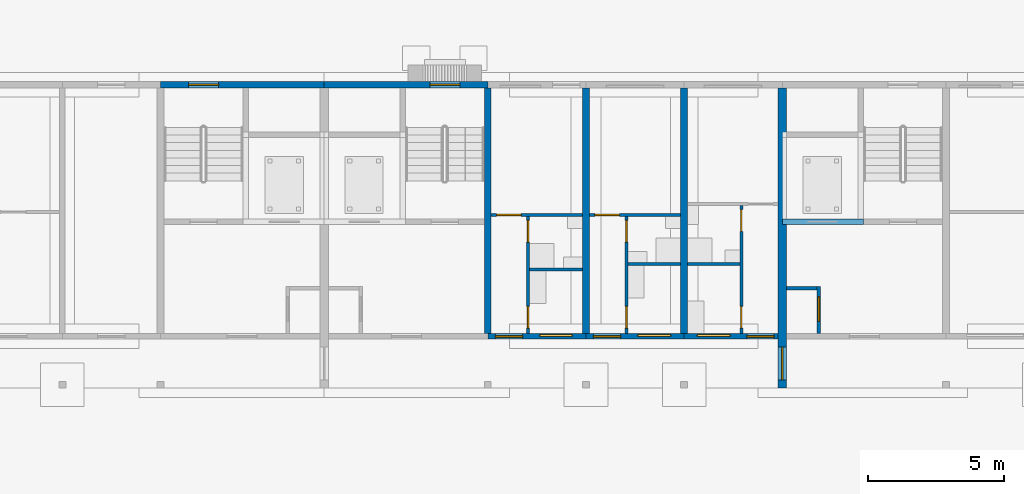
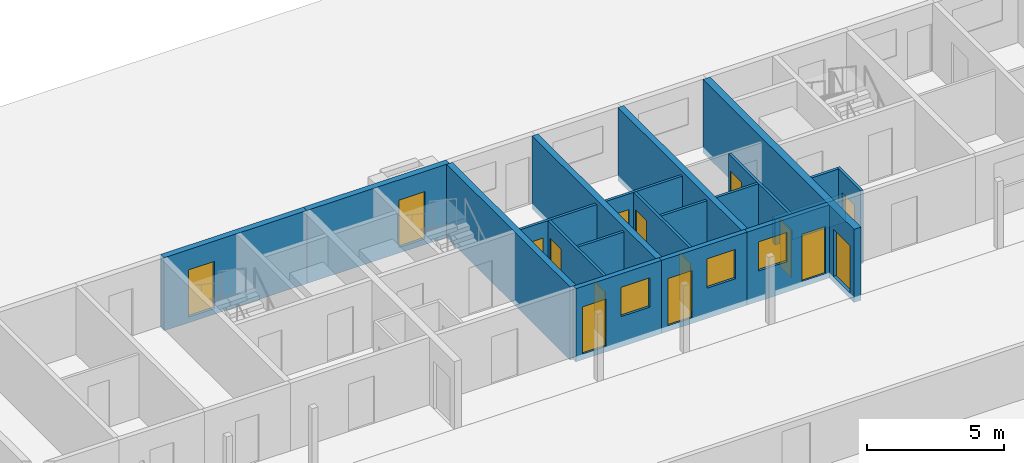
# One storey, part 48 of 112: 20 walls, 15 doors, 3 windows, 18 openings.
"""IFC4 building model written with IfcOpenShell, lengths in metres."""

from ifc_helpers import new_model, si_unit, direction, frame, frame_2d, origin, place, context, subcontext, project, spatial, rectangle, extrude, material, layer, layer_set, type_object, element, fill, save


model = new_model("IFC4")

# Units and contexts
model_context = context("Model", 3, precision=1e-05, world=origin(), true_north=direction((0.0, 1.0)))
body_context = subcontext(model_context, "Body", "Model", "MODEL_VIEW")
ifc_project = project(units=[si_unit("LENGTHUNIT", "METRE"), si_unit("AREAUNIT", "SQUARE_METRE"), si_unit("VOLUMEUNIT", "CUBIC_METRE"), si_unit("PLANEANGLEUNIT", "RADIAN"), si_unit("MASSUNIT", "GRAM", prefix="KILO")], contexts=[model_context])

# Site, building, storey
site_placement = place(None, origin())
site = spatial("IfcSite", under=ifc_project, at=site_placement, CompositionType="ELEMENT")
building_placement = place(site_placement, origin())
building = spatial("IfcBuilding", under=site, at=building_placement, Name="Ridgestep Commons", CompositionType="ELEMENT")
storey_placement = place(building_placement, origin())
storey = spatial("IfcBuildingStorey", under=building, at=storey_placement, Name="L00", CompositionType="ELEMENT", Elevation=0.0)

# Wall
ifc_material_1 = material(Name="Concrete C30/37", Category="concrete")
ifc_layer_1 = layer(ifc_material_1, 0.25)
ifc_layer_set_1 = layer_set([ifc_layer_1], Name="Core cross wall 250")
wall_type_1 = type_object("IfcWallType", Name="Core cross wall 250", PredefinedType="SHEAR", material=ifc_layer_set_1)
wall_1_placement = place(storey_placement, frame((34.800048828125, 68.0, -0.25), z_axis=(0.0, 0.0, 1.0), x_axis=(0.0, 1.0, 0.0)))
element("IfcWall", 1, at=wall_1_placement, inside=storey, type_object=wall_type_1, Name="Cross wall B-00-0348", PredefinedType="SHEAR", context=body_context, shape_type="SweptSolid", body=[
    extrude(rectangle(XDim=9.0, YDim=0.25, at=frame_2d((4.5, 0.0))), origin(), (0.0, 0.0, 1.0), 3.25),
])

# Wall, opening, door
ifc_material_2 = material(Name="Concrete C30/37", Category="concrete")
ifc_layer_2 = layer(ifc_material_2, 0.1201171875)
ifc_layer_set_2 = layer_set([ifc_layer_2], Name="Core wall 120")
wall_type_2 = type_object("IfcWallType", Name="Core wall 120", PredefinedType="SHEAR", material=ifc_layer_set_2)
wall_2_placement = place(storey_placement, frame((46.93994140625, 68.0, -0.25), z_axis=(0.0, 0.0, 1.0), x_axis=(0.0, 1.0, 0.0)))
wall_2 = element("IfcWall", 2, at=wall_2_placement, inside=storey, type_object=wall_type_2, Name="Core riser w wall B3C L00", PredefinedType="SHEAR", context=body_context, shape_type="SweptSolid", body=[
    extrude(rectangle(XDim=1.719970703125, YDim=0.1201171875, at=frame_2d((0.85986328125, 0.0))), origin(), (0.0, 0.0, 1.0), 3.25),
])
opening_1_placement = place(wall_2_placement, frame((0.449951171875, 0.0, 0.25)))
opening_1 = element("IfcOpeningElement", 3, at=opening_1_placement, cuts=wall_2, Name="Opening B3C/00/4", PredefinedType="OPENING", context=body_context, shape_type="SweptSolid", body=[
    extrude(rectangle(XDim=0.89990234375, YDim=2.10009765625, at=frame_2d((0.449951171875, 1.050048828125))), frame((0.0, 0.070068359375, 0.0), z_axis=(0.0, -1.0, 0.0), x_axis=(1.0, 0.0, 0.0)), (0.0, 0.0, 1.0), 0.14013671875),
])
ifc_material_3 = material(Name="Steel fire door", Category="steel")
door_type_1 = type_object("IfcDoorType", Name="Riser door 900 x 2100 FD60", OperationType="NOTDEFINED", PredefinedType="DOOR", material=ifc_material_3)
door_1_placement = place(opening_1_placement, origin())
door_1 = element("IfcDoor", 4, at=door_1_placement, inside=storey, type_object=door_type_1, Name="Riser door B3C/00/4", OperationType="SINGLE_SWING_RIGHT", OverallHeight=2.10009765625, OverallWidth=0.89990234375, PredefinedType="DOOR", context=body_context, shape_type="SweptSolid", body=[
    extrude(rectangle(XDim=0.89990234375, YDim=2.10009765625, at=frame_2d((0.449951171875, 1.050048828125))), frame((0.0, 0.02490234375, 0.0), z_axis=(0.0, -1.0, 0.0), x_axis=(1.0, 0.0, 0.0)), (0.0, 0.0, 1.0), 0.050048828125),
])
fill(opening_1, door_1)

# Walls
wall_3_placement = place(storey_placement, frame((45.75, 69.659912109375, -0.25), z_axis=(0.0, 0.0, 1.0), x_axis=(1.0, 0.0, 0.0)))
element("IfcWall", 5, at=wall_3_placement, inside=storey, type_object=wall_type_2, Name="Core riser n wall B3C L00", PredefinedType="SHEAR", context=body_context, shape_type="SweptSolid", body=[
    extrude(rectangle(XDim=1.1298828125, YDim=0.1201171875, at=frame_2d((0.56494140625, 0.0))), origin(), (0.0, 0.0, 1.0), 3.25),
])
ifc_material_4 = material(Name="Concrete C30/37", Category="concrete")
ifc_layer_3 = layer(ifc_material_4, 0.199951171875)
ifc_layer_set_3 = layer_set([ifc_layer_3], Name="Core wall 200")
wall_type_3 = type_object("IfcWallType", Name="Core wall 200", PredefinedType="SHEAR", material=ifc_layer_set_3)
wall_4_placement = place(storey_placement, frame((45.60009765625, 72.10009765625, -1.39990234375), z_axis=(0.0, 0.0, 1.0), x_axis=(1.0, 0.0, 0.0)))
element("IfcWall", 6, at=wall_4_placement, inside=storey, type_object=wall_type_3, Name="Lift pit wall B3C", PredefinedType="SHEAR", context=body_context, shape_type="SweptSolid", body=[
    extrude(rectangle(XDim=2.974853515625, YDim=0.199951171875, at=frame_2d((1.4873046875, 0.0))), origin(), (0.0, 0.0, 1.0), 1.14990234375),
])
ifc_material_5 = material(Name="Precast concrete C40/50", Category="concrete")
ifc_layer_4 = layer(ifc_material_5, 0.25)
ifc_layer_set_4 = layer_set([ifc_layer_4], Name="Cross wall 250")
wall_type_4 = type_object("IfcWallType", Name="Cross wall 250", PredefinedType="SHEAR", material=ifc_layer_set_4)
for number, where, z_axis, x_axis, name in (
    (7, (38.39990234375, 68.0, -0.25), (0.0, 0.0, 1.0), (0.0, 1.0, 0.0), "Cross wall B-00-0384"),
    (8, (42.0, 68.0, -0.25), (0.0, 0.0, 1.0), (0.0, 1.0, 0.0), "Cross wall B-00-0420"),
):
    element("IfcWall", number, at=place(storey_placement, frame(where, z_axis=z_axis, x_axis=x_axis)), inside=storey, type_object=wall_type_4, Name=name, PredefinedType="SHEAR", context=body_context, shape_type="SweptSolid", body=[
        extrude(rectangle(XDim=9.0, YDim=0.25, at=frame_2d((4.5, 0.0))), origin(), (0.0, 0.0, 1.0), 3.25),
    ])

# Wall, opening, door
ifc_material_6 = material(Name="Precast concrete C40/50", Category="concrete")
ifc_layer_5 = layer(ifc_material_6, 0.300048828125)
ifc_layer_set_5 = layer_set([ifc_layer_5], Name="Division wall 300")
wall_type_5 = type_object("IfcWallType", Name="Division wall 300", PredefinedType="SHEAR", material=ifc_layer_set_5)
wall_5_placement = place(storey_placement, frame((45.60009765625, 66.0, -0.25), z_axis=(0.0, 0.0, 1.0), x_axis=(0.0, 1.0, 0.0)))
wall_5 = element("IfcWall", 9, at=wall_5_placement, inside=storey, type_object=wall_type_5, Name="Cross wall B-00-0456", PredefinedType="SHEAR", context=body_context, shape_type="SweptSolid", body=[
    extrude(rectangle(XDim=11.0, YDim=0.300048828125, at=frame_2d((5.5, 0.0))), origin(), (0.0, 0.0, 1.0), 3.25),
])
opening_2_placement = place(wall_5_placement, frame((0.300048828125, 0.0, 0.25)))
opening_2 = element("IfcOpeningElement", 10, at=opening_2_placement, cuts=wall_5, Name="Opening B/00/G0456", PredefinedType="OPENING", context=body_context, shape_type="SweptSolid", body=[
    extrude(rectangle(XDim=1.199951171875, YDim=2.10009765625, at=frame_2d((0.60009765625, 1.050048828125))), frame((0.0, 0.159912109375, 0.0), z_axis=(0.0, -1.0, 0.0), x_axis=(1.0, 0.0, 0.0)), (0.0, 0.0, 1.0), 0.320068359375),
])
ifc_material_7 = material(Name="Steel fire door", Category="steel")
door_type_2 = type_object("IfcDoorType", Name="Division fire door 1200 x 2100 EI 240", OperationType="DOUBLE_DOOR_SINGLE_SWING", PredefinedType="DOOR", material=ifc_material_7)
door_2_placement = place(opening_2_placement, origin())
door_2 = element("IfcDoor", 11, at=door_2_placement, inside=storey, type_object=door_type_2, Name="Division fire door B/00/G0456", OperationType="DOUBLE_DOOR_SINGLE_SWING", OverallHeight=2.10009765625, OverallWidth=1.199951171875, PredefinedType="DOOR", context=body_context, shape_type="SweptSolid", body=[
    extrude(rectangle(XDim=1.199951171875, YDim=2.10009765625, at=frame_2d((0.60009765625, 1.050048828125))), frame((0.0, 0.02490234375, 0.0), z_axis=(0.0, -1.0, 0.0), x_axis=(1.0, 0.0, 0.0)), (0.0, 0.0, 1.0), 0.050048828125),
])
fill(opening_2, door_2)

ifc_material_8 = material(Name="Precast concrete C40/50", Category="concrete")
ifc_layer_6 = layer(ifc_material_8, 0.25)
ifc_layer_set_6 = layer_set([ifc_layer_6], Name="North facade panel 250")
wall_type_6 = type_object("IfcWallType", Name="North facade panel 250", PredefinedType="SOLIDWALL", material=ifc_layer_set_6)
wall_6_placement = place(storey_placement, frame((22.800048828125, 77.125, -0.25), z_axis=(0.0, 0.0, 1.0), x_axis=(1.0, 0.0, 0.0)))
wall_6 = element("IfcWall", 12, at=wall_6_placement, inside=storey, type_object=wall_type_6, Name="North panel B1C L00", PredefinedType="SOLIDWALL", context=body_context, shape_type="SweptSolid", body=[
    extrude(rectangle(XDim=6.0, YDim=0.25, at=frame_2d((3.0, 0.0))), origin(), (0.0, 0.0, 1.0), 3.25),
])
opening_3_placement = place(wall_6_placement, frame((1.02490234375, 0.0, 0.25)))
opening_3 = element("IfcOpeningElement", 13, at=opening_3_placement, cuts=wall_6, Name="Opening B1C/00/5", PredefinedType="OPENING", context=body_context, shape_type="SweptSolid", body=[
    extrude(rectangle(XDim=1.10009765625, YDim=2.10009765625, at=frame_2d((0.550048828125, 1.050048828125))), frame((0.0, 0.135009765625, 0.0), z_axis=(0.0, -1.0, 0.0), x_axis=(1.0, 0.0, 0.0)), (0.0, 0.0, 1.0), 0.27001953125),
])
ifc_material_9 = material(Name="Steel fire door", Category="steel")
door_type_3 = type_object("IfcDoorType", Name="Stair exit door 1100 x 2100 FD60", OperationType="NOTDEFINED", PredefinedType="DOOR", material=ifc_material_9)
door_3_placement = place(opening_3_placement, origin())
door_3 = element("IfcDoor", 14, at=door_3_placement, inside=storey, type_object=door_type_3, Name="Stair exit door B1C/00/5", OperationType="SINGLE_SWING_LEFT", OverallHeight=2.10009765625, OverallWidth=1.10009765625, PredefinedType="DOOR", context=body_context, shape_type="SweptSolid", body=[
    extrude(rectangle(XDim=1.10009765625, YDim=2.10009765625, at=frame_2d((0.550048828125, 1.050048828125))), frame((0.0, 0.02490234375, 0.0), z_axis=(0.0, -1.0, 0.0), x_axis=(1.0, 0.0, 0.0)), (0.0, 0.0, 1.0), 0.050048828125),
])
fill(opening_3, door_3)

wall_7_placement = place(storey_placement, frame((28.800048828125, 77.125, -0.25), z_axis=(0.0, 0.0, 1.0), x_axis=(1.0, 0.0, 0.0)))
wall_7 = element("IfcWall", 15, at=wall_7_placement, inside=storey, type_object=wall_type_6, Name="North panel B2C L00", PredefinedType="SOLIDWALL", context=body_context, shape_type="SweptSolid", body=[
    extrude(rectangle(XDim=6.0, YDim=0.25, at=frame_2d((3.0, 0.0))), origin(), (0.0, 0.0, 1.0), 3.25),
])
opening_4_placement = place(wall_7_placement, frame((3.875, 0.0, 0.25)))
opening_4 = element("IfcOpeningElement", 16, at=opening_4_placement, cuts=wall_7, Name="Opening B2C/00/5", PredefinedType="OPENING", context=body_context, shape_type="SweptSolid", body=[
    extrude(rectangle(XDim=1.10009765625, YDim=2.10009765625, at=frame_2d((0.550048828125, 1.050048828125))), frame((0.0, 0.135009765625, 0.0), z_axis=(0.0, -1.0, 0.0), x_axis=(1.0, 0.0, 0.0)), (0.0, 0.0, 1.0), 0.27001953125),
])
door_4_placement = place(opening_4_placement, origin())
door_4 = element("IfcDoor", 17, at=door_4_placement, inside=storey, type_object=door_type_3, Name="Stair exit door B2C/00/5", OperationType="SINGLE_SWING_LEFT", OverallHeight=2.10009765625, OverallWidth=1.10009765625, PredefinedType="DOOR", context=body_context, shape_type="SweptSolid", body=[
    extrude(rectangle(XDim=1.10009765625, YDim=2.10009765625, at=frame_2d((0.550048828125, 1.050048828125))), frame((0.0, 0.02490234375, 0.0), z_axis=(0.0, -1.0, 0.0), x_axis=(1.0, 0.0, 0.0)), (0.0, 0.0, 1.0), 0.050048828125),
])
fill(opening_4, door_4)

# Wall
ifc_material_10 = material(Name="Common brick 110 mm", Category="masonry")
ifc_layer_7 = layer(ifc_material_10, 0.110107421875)
ifc_layer_set_7 = layer_set([ifc_layer_7], Name="Partition 110")
wall_type_7 = type_object("IfcWallType", Name="Partition 110", PredefinedType="PARTITIONING", material=ifc_layer_set_7)
wall_8_placement = place(storey_placement, frame((42.125, 70.554931640625, 0.0), z_axis=(0.0, 0.0, 1.0), x_axis=(1.0, 0.0, 0.0)))
element("IfcWall", 18, at=wall_8_placement, inside=storey, type_object=wall_type_7, Name="Partition B2-00a", PredefinedType="PARTITIONING", context=body_context, shape_type="SweptSolid", body=[
    extrude(rectangle(XDim=1.9150390625, YDim=0.110107421875, at=frame_2d((0.95751953125, 0.0))), origin(), (0.0, 0.0, 1.0), 2.800048828125),
])

# Wall, openings, doors
wall_9_placement = place(storey_placement, frame((44.094970703125, 68.0, 0.0), z_axis=(0.0, 0.0, 1.0), x_axis=(0.0, 1.0, 0.0)))
wall_9 = element("IfcWall", 19, at=wall_9_placement, inside=storey, type_object=wall_type_7, Name="Partition B2-00a", PredefinedType="PARTITIONING", context=body_context, shape_type="SweptSolid", body=[
    extrude(rectangle(XDim=4.699951171875, YDim=0.110107421875, at=frame_2d((2.35009765625, 0.0))), origin(), (0.0, 0.0, 1.0), 2.800048828125),
])
opening_5_placement = place(wall_9_placement, frame((0.199951171875, 0.0, 0.0)))
opening_5 = element("IfcOpeningElement", 20, at=opening_5_placement, cuts=wall_9, Name="Opening B2-00a/2", PredefinedType="OPENING", context=body_context, shape_type="SweptSolid", body=[
    extrude(rectangle(XDim=0.800048828125, YDim=2.10009765625, at=frame_2d((0.39990234375, 1.050048828125))), frame((0.0, 0.06494140625, 0.0), z_axis=(0.0, -1.0, 0.0), x_axis=(1.0, 0.0, 0.0)), (0.0, 0.0, 1.0), 0.130126953125),
])
opening_6_placement = place(wall_9_placement, frame((3.75, 0.0, 0.0)))
opening_6 = element("IfcOpeningElement", 21, at=opening_6_placement, cuts=wall_9, Name="Opening B2-00a/3", PredefinedType="OPENING", context=body_context, shape_type="SweptSolid", body=[
    extrude(rectangle(XDim=0.800048828125, YDim=2.10009765625, at=frame_2d((0.39990234375, 1.050048828125))), frame((0.0, 0.06494140625, 0.0), z_axis=(0.0, -1.0, 0.0), x_axis=(1.0, 0.0, 0.0)), (0.0, 0.0, 1.0), 0.130126953125),
])
ifc_material_11 = material(Name="Timber door leaf", Category="wood")
door_type_4 = type_object("IfcDoorType", Name="Internal door 800 x 2100", OperationType="NOTDEFINED", PredefinedType="DOOR", material=ifc_material_11)
door_5_placement = place(opening_5_placement, origin())
door_5 = element("IfcDoor", 22, at=door_5_placement, inside=storey, type_object=door_type_4, Name="Internal door B2-00a/2", OperationType="SINGLE_SWING_LEFT", OverallHeight=2.10009765625, OverallWidth=0.800048828125, PredefinedType="DOOR", context=body_context, shape_type="SweptSolid", body=[
    extrude(rectangle(XDim=0.800048828125, YDim=2.10009765625, at=frame_2d((0.39990234375, 1.050048828125))), frame((0.0, 0.02490234375, 0.0), z_axis=(0.0, -1.0, 0.0), x_axis=(1.0, 0.0, 0.0)), (0.0, 0.0, 1.0), 0.050048828125),
])
fill(opening_5, door_5)
door_6_placement = place(opening_6_placement, origin())
door_6 = element("IfcDoor", 23, at=door_6_placement, inside=storey, type_object=door_type_4, Name="Internal door B2-00a/3", OperationType="SINGLE_SWING_RIGHT", OverallHeight=2.10009765625, OverallWidth=0.800048828125, PredefinedType="DOOR", context=body_context, shape_type="SweptSolid", body=[
    extrude(rectangle(XDim=0.800048828125, YDim=2.10009765625, at=frame_2d((0.39990234375, 1.050048828125))), frame((0.0, 0.02490234375, 0.0), z_axis=(0.0, -1.0, 0.0), x_axis=(1.0, 0.0, 0.0)), (0.0, 0.0, 1.0), 0.050048828125),
])
fill(opening_6, door_6)

wall_10_placement = place(storey_placement, frame((39.8798828125, 68.0, 0.0), z_axis=(0.0, 0.0, 1.0), x_axis=(0.0, 1.0, 0.0)))
wall_10 = element("IfcWall", 24, at=wall_10_placement, inside=storey, type_object=wall_type_7, Name="Partition B2-00b", PredefinedType="PARTITIONING", context=body_context, shape_type="SweptSolid", body=[
    extrude(rectangle(XDim=4.300048828125, YDim=0.110107421875, at=frame_2d((2.14990234375, 0.0))), origin(), (0.0, 0.0, 1.0), 2.800048828125),
])
opening_7_placement = place(wall_10_placement, frame((0.199951171875, 0.0, 0.0)))
opening_7 = element("IfcOpeningElement", 25, at=opening_7_placement, cuts=wall_10, Name="Opening B2-00b/2", PredefinedType="OPENING", context=body_context, shape_type="SweptSolid", body=[
    extrude(rectangle(XDim=0.800048828125, YDim=2.10009765625, at=frame_2d((0.39990234375, 1.050048828125))), frame((0.0, 0.06494140625, 0.0), z_axis=(0.0, -1.0, 0.0), x_axis=(1.0, 0.0, 0.0)), (0.0, 0.0, 1.0), 0.130126953125),
])
opening_8_placement = place(wall_10_placement, frame((3.35009765625, 0.0, 0.0)))
opening_8 = element("IfcOpeningElement", 26, at=opening_8_placement, cuts=wall_10, Name="Opening B2-00b/3", PredefinedType="OPENING", context=body_context, shape_type="SweptSolid", body=[
    extrude(rectangle(XDim=0.800048828125, YDim=2.10009765625, at=frame_2d((0.39990234375, 1.050048828125))), frame((0.0, 0.06494140625, 0.0), z_axis=(0.0, -1.0, 0.0), x_axis=(1.0, 0.0, 0.0)), (0.0, 0.0, 1.0), 0.130126953125),
])
door_7_placement = place(opening_7_placement, origin())
door_7 = element("IfcDoor", 27, at=door_7_placement, inside=storey, type_object=door_type_4, Name="Internal door B2-00b/2", OperationType="SINGLE_SWING_RIGHT", OverallHeight=2.10009765625, OverallWidth=0.800048828125, PredefinedType="DOOR", context=body_context, shape_type="SweptSolid", body=[
    extrude(rectangle(XDim=0.800048828125, YDim=2.10009765625, at=frame_2d((0.39990234375, 1.050048828125))), frame((0.0, 0.02490234375, 0.0), z_axis=(0.0, -1.0, 0.0), x_axis=(1.0, 0.0, 0.0)), (0.0, 0.0, 1.0), 0.050048828125),
])
fill(opening_7, door_7)
door_8_placement = place(opening_8_placement, origin())
door_8 = element("IfcDoor", 28, at=door_8_placement, inside=storey, type_object=door_type_4, Name="Internal door B2-00b/3", OperationType="SINGLE_SWING_LEFT", OverallHeight=2.10009765625, OverallWidth=0.800048828125, PredefinedType="DOOR", context=body_context, shape_type="SweptSolid", body=[
    extrude(rectangle(XDim=0.800048828125, YDim=2.10009765625, at=frame_2d((0.39990234375, 1.050048828125))), frame((0.0, 0.02490234375, 0.0), z_axis=(0.0, -1.0, 0.0), x_axis=(1.0, 0.0, 0.0)), (0.0, 0.0, 1.0), 0.050048828125),
])
fill(opening_8, door_8)

# Wall
wall_11_placement = place(storey_placement, frame((39.93505859375, 70.554931640625, 0.0), z_axis=(0.0, 0.0, 1.0), x_axis=(1.0, 0.0, 0.0)))
element("IfcWall", 29, at=wall_11_placement, inside=storey, type_object=wall_type_7, Name="Partition B2-00b", PredefinedType="PARTITIONING", context=body_context, shape_type="SweptSolid", body=[
    extrude(rectangle(XDim=1.93994140625, YDim=0.110107421875, at=frame_2d((0.969970703125, 0.0))), origin(), (0.0, 0.0, 1.0), 2.800048828125),
])

# Wall, opening, door
wall_12_placement = place(storey_placement, frame((38.52490234375, 72.35498046875, 0.0), z_axis=(0.0, 0.0, 1.0), x_axis=(1.0, 0.0, 0.0)))
wall_12 = element("IfcWall", 30, at=wall_12_placement, inside=storey, type_object=wall_type_7, Name="Partition B2-00b", PredefinedType="PARTITIONING", context=body_context, shape_type="SweptSolid", body=[
    extrude(rectangle(XDim=3.35009765625, YDim=0.110107421875, at=frame_2d((1.675048828125, 0.0))), origin(), (0.0, 0.0, 1.0), 2.800048828125),
])
opening_9_placement = place(wall_12_placement, frame((0.199951171875, 0.0, 0.0)))
opening_9 = element("IfcOpeningElement", 31, at=opening_9_placement, cuts=wall_12, Name="Opening B2-00b/4", PredefinedType="OPENING", context=body_context, shape_type="SweptSolid", body=[
    extrude(rectangle(XDim=0.89990234375, YDim=2.10009765625, at=frame_2d((0.449951171875, 1.050048828125))), frame((0.0, 0.06494140625, 0.0), z_axis=(0.0, -1.0, 0.0), x_axis=(1.0, 0.0, 0.0)), (0.0, 0.0, 1.0), 0.130126953125),
])
ifc_material_12 = material(Name="Timber door leaf", Category="wood")
door_type_5 = type_object("IfcDoorType", Name="Internal door 900 x 2100", OperationType="NOTDEFINED", PredefinedType="DOOR", material=ifc_material_12)
door_9_placement = place(opening_9_placement, origin())
door_9 = element("IfcDoor", 32, at=door_9_placement, inside=storey, type_object=door_type_5, Name="Internal door B2-00b/4", OperationType="SINGLE_SWING_LEFT", OverallHeight=2.10009765625, OverallWidth=0.89990234375, PredefinedType="DOOR", context=body_context, shape_type="SweptSolid", body=[
    extrude(rectangle(XDim=0.89990234375, YDim=2.10009765625, at=frame_2d((0.449951171875, 1.050048828125))), frame((0.0, 0.02490234375, 0.0), z_axis=(0.0, -1.0, 0.0), x_axis=(1.0, 0.0, 0.0)), (0.0, 0.0, 1.0), 0.050048828125),
])
fill(opening_9, door_9)

# Wall, openings, doors
wall_13_placement = place(storey_placement, frame((36.280029296875, 68.0, 0.0), z_axis=(0.0, 0.0, 1.0), x_axis=(0.0, 1.0, 0.0)))
wall_13 = element("IfcWall", 33, at=wall_13_placement, inside=storey, type_object=wall_type_7, Name="Partition B2-00c", PredefinedType="PARTITIONING", context=body_context, shape_type="SweptSolid", body=[
    extrude(rectangle(XDim=4.300048828125, YDim=0.110107421875, at=frame_2d((2.14990234375, 0.0))), origin(), (0.0, 0.0, 1.0), 2.800048828125),
])
opening_10_placement = place(wall_13_placement, frame((0.199951171875, 0.0, 0.0)))
opening_10 = element("IfcOpeningElement", 34, at=opening_10_placement, cuts=wall_13, Name="Opening B2-00c/2", PredefinedType="OPENING", context=body_context, shape_type="SweptSolid", body=[
    extrude(rectangle(XDim=0.800048828125, YDim=2.10009765625, at=frame_2d((0.39990234375, 1.050048828125))), frame((0.0, 0.06494140625, 0.0), z_axis=(0.0, -1.0, 0.0), x_axis=(1.0, 0.0, 0.0)), (0.0, 0.0, 1.0), 0.130126953125),
])
opening_11_placement = place(wall_13_placement, frame((3.35009765625, 0.0, 0.0)))
opening_11 = element("IfcOpeningElement", 35, at=opening_11_placement, cuts=wall_13, Name="Opening B2-00c/3", PredefinedType="OPENING", context=body_context, shape_type="SweptSolid", body=[
    extrude(rectangle(XDim=0.800048828125, YDim=2.10009765625, at=frame_2d((0.39990234375, 1.050048828125))), frame((0.0, 0.06494140625, 0.0), z_axis=(0.0, -1.0, 0.0), x_axis=(1.0, 0.0, 0.0)), (0.0, 0.0, 1.0), 0.130126953125),
])
door_10_placement = place(opening_10_placement, origin())
door_10 = element("IfcDoor", 36, at=door_10_placement, inside=storey, type_object=door_type_4, Name="Internal door B2-00c/2", OperationType="SINGLE_SWING_RIGHT", OverallHeight=2.10009765625, OverallWidth=0.800048828125, PredefinedType="DOOR", context=body_context, shape_type="SweptSolid", body=[
    extrude(rectangle(XDim=0.800048828125, YDim=2.10009765625, at=frame_2d((0.39990234375, 1.050048828125))), frame((0.0, 0.02490234375, 0.0), z_axis=(0.0, -1.0, 0.0), x_axis=(1.0, 0.0, 0.0)), (0.0, 0.0, 1.0), 0.050048828125),
])
fill(opening_10, door_10)
door_11_placement = place(opening_11_placement, origin())
door_11 = element("IfcDoor", 37, at=door_11_placement, inside=storey, type_object=door_type_4, Name="Internal door B2-00c/3", OperationType="SINGLE_SWING_LEFT", OverallHeight=2.10009765625, OverallWidth=0.800048828125, PredefinedType="DOOR", context=body_context, shape_type="SweptSolid", body=[
    extrude(rectangle(XDim=0.800048828125, YDim=2.10009765625, at=frame_2d((0.39990234375, 1.050048828125))), frame((0.0, 0.02490234375, 0.0), z_axis=(0.0, -1.0, 0.0), x_axis=(1.0, 0.0, 0.0)), (0.0, 0.0, 1.0), 0.050048828125),
])
fill(opening_11, door_11)

# Wall
wall_14_placement = place(storey_placement, frame((36.3349609375, 70.35498046875, 0.0), z_axis=(0.0, 0.0, 1.0), x_axis=(1.0, 0.0, 0.0)))
element("IfcWall", 38, at=wall_14_placement, inside=storey, type_object=wall_type_7, Name="Partition B2-00c", PredefinedType="PARTITIONING", context=body_context, shape_type="SweptSolid", body=[
    extrude(rectangle(XDim=1.93994140625, YDim=0.110107421875, at=frame_2d((0.969970703125, 0.0))), origin(), (0.0, 0.0, 1.0), 2.800048828125),
])

# Wall, opening, door
wall_15_placement = place(storey_placement, frame((34.925048828125, 72.35498046875, 0.0), z_axis=(0.0, 0.0, 1.0), x_axis=(1.0, 0.0, 0.0)))
wall_15 = element("IfcWall", 39, at=wall_15_placement, inside=storey, type_object=wall_type_7, Name="Partition B2-00c", PredefinedType="PARTITIONING", context=body_context, shape_type="SweptSolid", body=[
    extrude(rectangle(XDim=3.349853515625, YDim=0.110107421875, at=frame_2d((1.6748046875, 0.0))), origin(), (0.0, 0.0, 1.0), 2.800048828125),
])
opening_12_placement = place(wall_15_placement, frame((0.199951171875, 0.0, 0.0)))
opening_12 = element("IfcOpeningElement", 40, at=opening_12_placement, cuts=wall_15, Name="Opening B2-00c/4", PredefinedType="OPENING", context=body_context, shape_type="SweptSolid", body=[
    extrude(rectangle(XDim=0.89990234375, YDim=2.10009765625, at=frame_2d((0.449951171875, 1.050048828125))), frame((0.0, 0.06494140625, 0.0), z_axis=(0.0, -1.0, 0.0), x_axis=(1.0, 0.0, 0.0)), (0.0, 0.0, 1.0), 0.130126953125),
])
door_12_placement = place(opening_12_placement, origin())
door_12 = element("IfcDoor", 41, at=door_12_placement, inside=storey, type_object=door_type_5, Name="Internal door B2-00c/4", OperationType="SINGLE_SWING_LEFT", OverallHeight=2.10009765625, OverallWidth=0.89990234375, PredefinedType="DOOR", context=body_context, shape_type="SweptSolid", body=[
    extrude(rectangle(XDim=0.89990234375, YDim=2.10009765625, at=frame_2d((0.449951171875, 1.050048828125))), frame((0.0, 0.02490234375, 0.0), z_axis=(0.0, -1.0, 0.0), x_axis=(1.0, 0.0, 0.0)), (0.0, 0.0, 1.0), 0.050048828125),
])
fill(opening_12, door_12)

# Wall, openings, door, window
ifc_material_13 = material(Name="Precast concrete C40/50", Category="concrete")
ifc_layer_8 = layer(ifc_material_13, 0.199951171875)
ifc_layer_set_8 = layer_set([ifc_layer_8], Name="South facade panel 200")
wall_type_8 = type_object("IfcWallType", Name="South facade panel 200", PredefinedType="SOLIDWALL", material=ifc_layer_set_8)
wall_16_placement = place(storey_placement, frame((34.800048828125, 67.89990234375, -0.25), z_axis=(0.0, 0.0, 1.0), x_axis=(1.0, 0.0, 0.0)))
wall_16 = element("IfcWall", 42, at=wall_16_placement, inside=storey, type_object=wall_type_8, Name="South panel B2T3 L00", PredefinedType="SOLIDWALL", context=body_context, shape_type="SweptSolid", body=[
    extrude(rectangle(XDim=3.599853515625, YDim=0.199951171875, at=frame_2d((1.7998046875, 0.0))), origin(), (0.0, 0.0, 1.0), 3.25),
])
opening_13_placement = place(wall_16_placement, frame((1.905029296875, 0.0, 1.35009765625)))
opening_13 = element("IfcOpeningElement", 43, at=opening_13_placement, cuts=wall_16, Name="Opening W08", PredefinedType="OPENING", context=body_context, shape_type="SweptSolid", body=[
    extrude(rectangle(XDim=1.199951171875, YDim=1.300048828125, at=frame_2d((0.60009765625, 0.64990234375))), frame((0.0, 0.10986328125, 0.0), z_axis=(0.0, -1.0, 0.0), x_axis=(1.0, 0.0, 0.0)), (0.0, 0.0, 1.0), 0.219970703125),
])
opening_14_placement = place(wall_16_placement, frame((0.27490234375, 0.0, 0.25)))
opening_14 = element("IfcOpeningElement", 44, at=opening_14_placement, cuts=wall_16, Name="Opening B2-00c/1", PredefinedType="OPENING", context=body_context, shape_type="SweptSolid", body=[
    extrude(rectangle(XDim=1.0, YDim=2.10009765625, at=frame_2d((0.5, 1.050048828125))), frame((0.0, 0.10986328125, 0.0), z_axis=(0.0, -1.0, 0.0), x_axis=(1.0, 0.0, 0.0)), (0.0, 0.0, 1.0), 0.219970703125),
])
ifc_material_14 = material(Name="Timber door leaf", Category="wood")
door_type_6 = type_object("IfcDoorType", Name="Flat entrance door 1000 x 2100 FD30S", OperationType="NOTDEFINED", PredefinedType="DOOR", material=ifc_material_14)
door_13_placement = place(opening_14_placement, origin())
door_13 = element("IfcDoor", 45, at=door_13_placement, inside=storey, type_object=door_type_6, Name="Flat entrance door B2-00c/1", OperationType="SINGLE_SWING_LEFT", OverallHeight=2.10009765625, OverallWidth=1.0, PredefinedType="DOOR", context=body_context, shape_type="SweptSolid", body=[
    extrude(rectangle(XDim=1.0, YDim=2.10009765625, at=frame_2d((0.5, 1.050048828125))), frame((0.0, 0.02490234375, 0.0), z_axis=(0.0, -1.0, 0.0), x_axis=(1.0, 0.0, 0.0)), (0.0, 0.0, 1.0), 0.050048828125),
])
fill(opening_14, door_13)
ifc_material_15 = material(Name="Aluminium 6063-T6 and glass", Category="aluminium")
window_type = type_object("IfcWindowType", Name="Flat window 1200 x 1300", PartitioningType="SINGLE_PANEL", PredefinedType="WINDOW", material=ifc_material_15)
window_1_placement = place(opening_13_placement, origin())
window_1 = element("IfcWindow", 46, at=window_1_placement, inside=storey, type_object=window_type, Name="Window B2-00c 1", OverallHeight=1.300048828125, OverallWidth=1.199951171875, PartitioningType="SINGLE_PANEL", PredefinedType="WINDOW", context=body_context, shape_type="SweptSolid", body=[
    extrude(rectangle(XDim=1.199951171875, YDim=1.300048828125, at=frame_2d((0.60009765625, 0.64990234375))), frame((0.0, 0.06005859375, 0.0), z_axis=(0.0, -1.0, 0.0), x_axis=(1.0, 0.0, 0.0)), (0.0, 0.0, 1.0), 0.06005859375),
])
fill(opening_13, window_1)

wall_17_placement = place(storey_placement, frame((38.39990234375, 67.89990234375, -0.25), z_axis=(0.0, 0.0, 1.0), x_axis=(1.0, 0.0, 0.0)))
wall_17 = element("IfcWall", 47, at=wall_17_placement, inside=storey, type_object=wall_type_8, Name="South panel B2T2 L00", PredefinedType="SOLIDWALL", context=body_context, shape_type="SweptSolid", body=[
    extrude(rectangle(XDim=3.60009765625, YDim=0.199951171875, at=frame_2d((1.800048828125, 0.0))), origin(), (0.0, 0.0, 1.0), 3.25),
])
opening_15_placement = place(wall_17_placement, frame((1.905029296875, 0.0, 1.35009765625)))
opening_15 = element("IfcOpeningElement", 48, at=opening_15_placement, cuts=wall_17, Name="Opening W08", PredefinedType="OPENING", context=body_context, shape_type="SweptSolid", body=[
    extrude(rectangle(XDim=1.199951171875, YDim=1.300048828125, at=frame_2d((0.60009765625, 0.64990234375))), frame((0.0, 0.10986328125, 0.0), z_axis=(0.0, -1.0, 0.0), x_axis=(1.0, 0.0, 0.0)), (0.0, 0.0, 1.0), 0.219970703125),
])
opening_16_placement = place(wall_17_placement, frame((0.27490234375, 0.0, 0.25)))
opening_16 = element("IfcOpeningElement", 49, at=opening_16_placement, cuts=wall_17, Name="Opening B2-00b/1", PredefinedType="OPENING", context=body_context, shape_type="SweptSolid", body=[
    extrude(rectangle(XDim=1.0, YDim=2.10009765625, at=frame_2d((0.5, 1.050048828125))), frame((0.0, 0.10986328125, 0.0), z_axis=(0.0, -1.0, 0.0), x_axis=(1.0, 0.0, 0.0)), (0.0, 0.0, 1.0), 0.219970703125),
])
door_14_placement = place(opening_16_placement, origin())
door_14 = element("IfcDoor", 50, at=door_14_placement, inside=storey, type_object=door_type_6, Name="Flat entrance door B2-00b/1", OperationType="SINGLE_SWING_LEFT", OverallHeight=2.10009765625, OverallWidth=1.0, PredefinedType="DOOR", context=body_context, shape_type="SweptSolid", body=[
    extrude(rectangle(XDim=1.0, YDim=2.10009765625, at=frame_2d((0.5, 1.050048828125))), frame((0.0, 0.02490234375, 0.0), z_axis=(0.0, -1.0, 0.0), x_axis=(1.0, 0.0, 0.0)), (0.0, 0.0, 1.0), 0.050048828125),
])
fill(opening_16, door_14)
window_2_placement = place(opening_15_placement, origin())
window_2 = element("IfcWindow", 51, at=window_2_placement, inside=storey, type_object=window_type, Name="Window B2-00b 1", OverallHeight=1.300048828125, OverallWidth=1.199951171875, PartitioningType="SINGLE_PANEL", PredefinedType="WINDOW", context=body_context, shape_type="SweptSolid", body=[
    extrude(rectangle(XDim=1.199951171875, YDim=1.300048828125, at=frame_2d((0.60009765625, 0.64990234375))), frame((0.0, 0.06005859375, 0.0), z_axis=(0.0, -1.0, 0.0), x_axis=(1.0, 0.0, 0.0)), (0.0, 0.0, 1.0), 0.06005859375),
])
fill(opening_15, window_2)

wall_18_placement = place(storey_placement, frame((42.0, 67.89990234375, -0.25), z_axis=(0.0, 0.0, 1.0), x_axis=(1.0, 0.0, 0.0)))
wall_18 = element("IfcWall", 52, at=wall_18_placement, inside=storey, type_object=wall_type_8, Name="South panel B2T1 L00", PredefinedType="SOLIDWALL", context=body_context, shape_type="SweptSolid", body=[
    extrude(rectangle(XDim=3.449951171875, YDim=0.199951171875, at=frame_2d((1.72509765625, 0.0))), origin(), (0.0, 0.0, 1.0), 3.25),
])
opening_17_placement = place(wall_18_placement, frame((0.482421875, 0.0, 1.35009765625)))
opening_17 = element("IfcOpeningElement", 53, at=opening_17_placement, cuts=wall_18, Name="Opening W08", PredefinedType="OPENING", context=body_context, shape_type="SweptSolid", body=[
    extrude(rectangle(XDim=1.199951171875, YDim=1.300048828125, at=frame_2d((0.60009765625, 0.64990234375))), frame((0.0, 0.10986328125, 0.0), z_axis=(0.0, -1.0, 0.0), x_axis=(1.0, 0.0, 0.0)), (0.0, 0.0, 1.0), 0.219970703125),
])
opening_18_placement = place(wall_18_placement, frame((2.300048828125, 0.0, 0.25)))
opening_18 = element("IfcOpeningElement", 54, at=opening_18_placement, cuts=wall_18, Name="Opening B2-00a/1", PredefinedType="OPENING", context=body_context, shape_type="SweptSolid", body=[
    extrude(rectangle(XDim=1.0, YDim=2.10009765625, at=frame_2d((0.5, 1.050048828125))), frame((0.0, 0.10986328125, 0.0), z_axis=(0.0, -1.0, 0.0), x_axis=(1.0, 0.0, 0.0)), (0.0, 0.0, 1.0), 0.219970703125),
])
door_15_placement = place(opening_18_placement, origin())
door_15 = element("IfcDoor", 55, at=door_15_placement, inside=storey, type_object=door_type_6, Name="Flat entrance door B2-00a/1", OperationType="SINGLE_SWING_RIGHT", OverallHeight=2.10009765625, OverallWidth=1.0, PredefinedType="DOOR", context=body_context, shape_type="SweptSolid", body=[
    extrude(rectangle(XDim=1.0, YDim=2.10009765625, at=frame_2d((0.5, 1.050048828125))), frame((0.0, 0.02490234375, 0.0), z_axis=(0.0, -1.0, 0.0), x_axis=(1.0, 0.0, 0.0)), (0.0, 0.0, 1.0), 0.050048828125),
])
fill(opening_18, door_15)
window_3_placement = place(opening_17_placement, origin())
window_3 = element("IfcWindow", 56, at=window_3_placement, inside=storey, type_object=window_type, Name="Window B2-00a 1", OverallHeight=1.300048828125, OverallWidth=1.199951171875, PartitioningType="SINGLE_PANEL", PredefinedType="WINDOW", context=body_context, shape_type="SweptSolid", body=[
    extrude(rectangle(XDim=1.199951171875, YDim=1.300048828125, at=frame_2d((0.60009765625, 0.64990234375))), frame((0.0, 0.06005859375, 0.0), z_axis=(0.0, -1.0, 0.0), x_axis=(1.0, 0.0, 0.0)), (0.0, 0.0, 1.0), 0.06005859375),
])
fill(opening_17, window_3)

save(model, "model.ifc")
